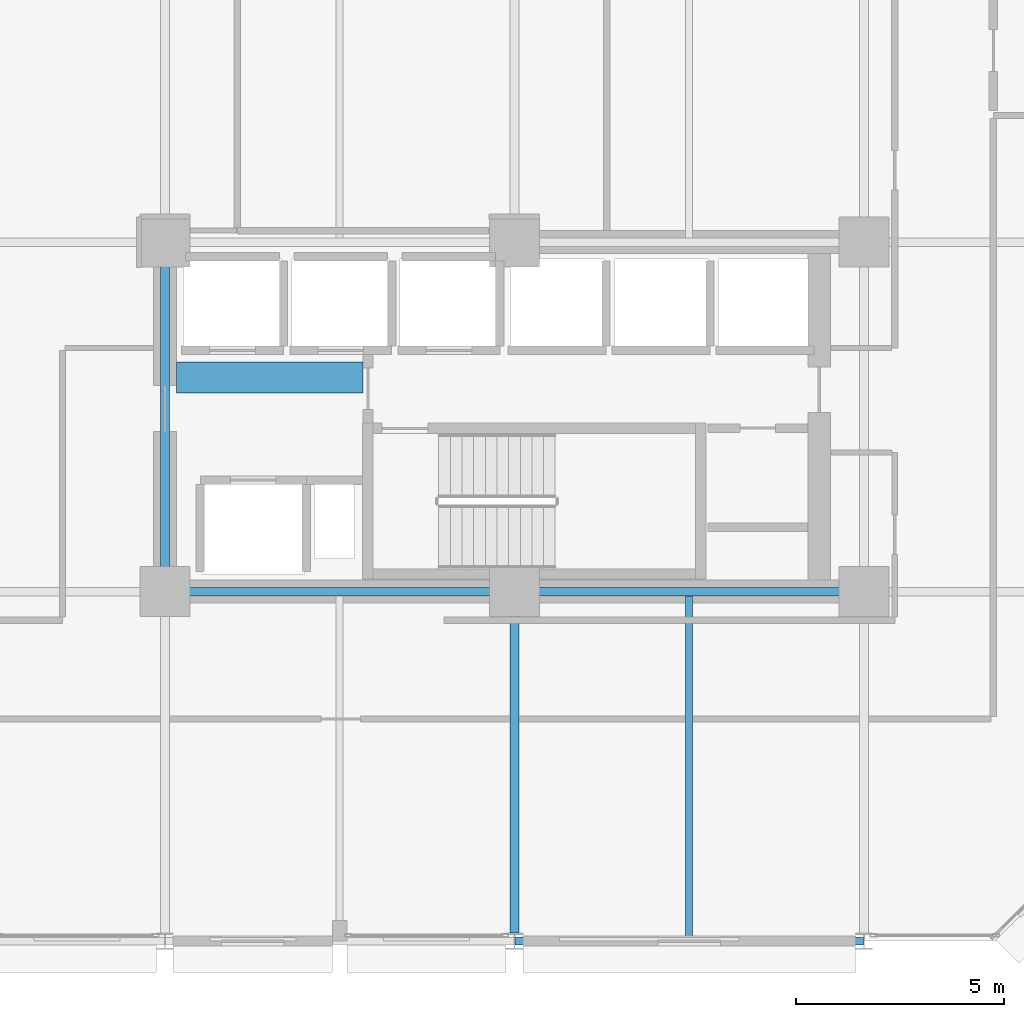
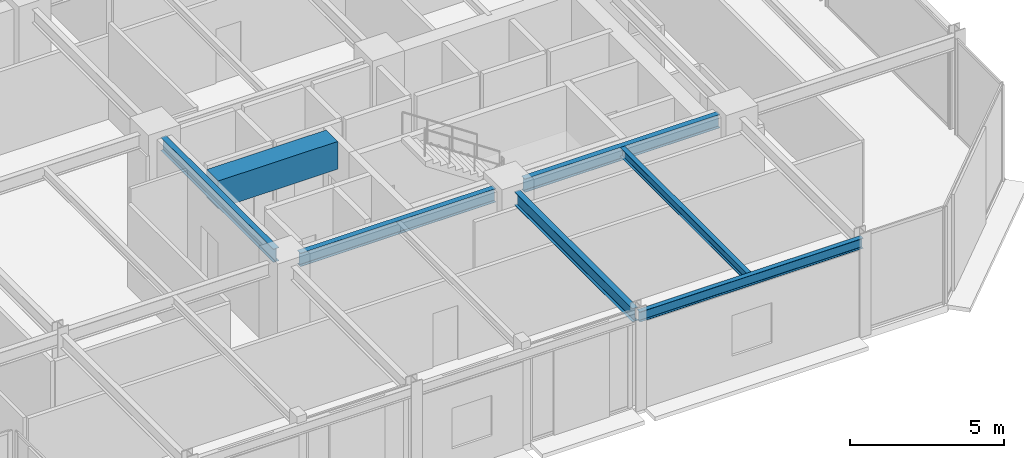
# One storey, part 7 of 30: 7 beams.
"""IFC4 building model written with IfcOpenShell, lengths in metres."""

from ifc_helpers import new_model, si_unit, direction, frame, origin, origin_2d, place, context, subcontext, project, spatial, rectangle, i_section, extrude, material, material_profile, profile_set, type_object, element, save


model = new_model("IFC4")

# Units and contexts
model_context = context("Model", 3, precision=1e-05, world=origin(), true_north=direction((0.0, 1.0)))
body_context = subcontext(model_context, "Body", "Model", "MODEL_VIEW")
ifc_project = project(units=[si_unit("LENGTHUNIT", "METRE"), si_unit("AREAUNIT", "SQUARE_METRE"), si_unit("VOLUMEUNIT", "CUBIC_METRE"), si_unit("PLANEANGLEUNIT", "RADIAN"), si_unit("MASSUNIT", "GRAM", prefix="KILO")], contexts=[model_context])

# Site, building, storey
site_placement = place(None, origin())
site = spatial("IfcSite", under=ifc_project, at=site_placement, CompositionType="ELEMENT")
building_placement = place(site_placement, origin())
building = spatial("IfcBuilding", under=site, at=building_placement, Name="Nerrivon Quay Data Exchange", CompositionType="ELEMENT")
storey_placement = place(building_placement, frame((0.0, 0.0, 141.800048828125)))
storey = spatial("IfcBuildingStorey", under=building, at=storey_placement, Name="L33", CompositionType="ELEMENT", Elevation=141.800048828125)

# Beams
ifc_material_1 = material(Name="Concrete S65 (65 MPa)", Category="concrete")
ifc_material_profile_1 = material_profile(ifc_material_1, rectangle(XDim=0.75, YDim=1.10009765625, at=origin_2d()), Name="RC-CB-750x1100")
ifc_profile_set_1 = profile_set([ifc_material_profile_1], Name="Concrete S65 (65 MPa)")
beam_type_1 = type_object("IfcBeamType", Name="BM-CB1-750x1100", PredefinedType="LINTEL", material=ifc_profile_set_1)
beam_1_placement = place(storey_placement, frame((17.074951171875, 13.550048828125, 3.27490234375), z_axis=(1.0, 0.0, 0.0), x_axis=(0.0, 1.0, 0.0)))
element("IfcBeam", 1, at=beam_1_placement, inside=storey, type_object=beam_type_1, Name="L33 East Core Coupling Beam", PredefinedType="LINTEL", context=body_context, shape_type="SweptSolid", body=[
    extrude(rectangle(XDim=0.75, YDim=1.10009765625, at=origin_2d()), origin(), (0.0, 0.0, 1.0), 4.47998046875),
])
ifc_material_2 = material(Name="Steel Grade 350", Category="steel")
ifc_material_profile_2 = material_profile(ifc_material_2, i_section(OverallWidth=0.208984375, OverallDepth=0.532958984375, WebThickness=0.01025390625, FlangeThickness=0.015625, FilletRadius=0.013916015625, at=origin_2d()), Name="530UB92.4")
ifc_profile_set_2 = profile_set([ifc_material_profile_2], Name="Steel Grade 350")
beam_type_2 = type_object("IfcBeamType", Name="BM-G3-530UB92", PredefinedType="BEAM", material=ifc_profile_set_2)
beam_2_placement = place(storey_placement, frame((17.340087890625, 8.39990234375, 3.558349609375), z_axis=(1.0, 0.0, 0.0), x_axis=(0.0, 1.0, 0.0)))
element("IfcBeam", 2, at=beam_2_placement, inside=storey, type_object=beam_type_2, Name="L33 EW Girder Y=8.4 (16.8..25.2)", PredefinedType="BEAM", context=body_context, shape_type="SweptSolid", body=[
    extrude(i_section(OverallWidth=0.208984375, OverallDepth=0.532958984375, WebThickness=0.01025390625, FlangeThickness=0.015625, FilletRadius=0.013916015625, at=origin_2d()), origin(), (0.0, 0.0, 1.0), 7.31982421875),
])
beam_3_placement = place(storey_placement, frame((25.739990234375, 8.39990234375, 3.558349609375), z_axis=(1.0, 0.0, 0.0), x_axis=(0.0, 1.0, 0.0)))
element("IfcBeam", 3, at=beam_3_placement, inside=storey, type_object=beam_type_2, Name="L33 EW Girder Y=8.4 (25.2..33.6)", PredefinedType="BEAM", context=body_context, shape_type="SweptSolid", body=[
    extrude(i_section(OverallWidth=0.208984375, OverallDepth=0.532958984375, WebThickness=0.01025390625, FlangeThickness=0.015625, FilletRadius=0.013916015625, at=origin_2d()), origin(), (0.0, 0.0, 1.0), 7.320068359375),
])
ifc_material_profile_3 = material_profile(ifc_material_2, i_section(OverallWidth=0.208984375, OverallDepth=0.528076171875, WebThickness=0.009521484375, FlangeThickness=0.01318359375, FilletRadius=0.013916015625, at=origin_2d()), Name="530UB82.0")
ifc_profile_set_3 = profile_set([ifc_material_profile_3], Name="Steel Grade 350")
beam_type_3 = type_object("IfcBeamType", Name="BM-G4-530UB82", PredefinedType="BEAM", material=ifc_profile_set_3)
beam_4_placement = place(storey_placement, frame((16.800048828125, 8.93994140625, 3.56103515625), z_axis=(0.0, 1.0, 0.0), x_axis=(-1.0, 0.0, 0.0)))
element("IfcBeam", 4, at=beam_4_placement, inside=storey, type_object=beam_type_3, Name="L33 NS Girder X=16.8 (8.4..16.8)", PredefinedType="BEAM", context=body_context, shape_type="SweptSolid", body=[
    extrude(i_section(OverallWidth=0.208984375, OverallDepth=0.528076171875, WebThickness=0.009521484375, FlangeThickness=0.01318359375, FilletRadius=0.013916015625, at=origin_2d()), origin(), (0.0, 0.0, 1.0), 7.320068359375),
])
beam_5_placement = place(storey_placement, frame((25.199951171875, 0.199951171875, 3.56103515625), z_axis=(0.0, 1.0, 0.0), x_axis=(-1.0, 0.0, 0.0)))
element("IfcBeam", 5, at=beam_5_placement, inside=storey, type_object=beam_type_3, Name="L33 NS Girder X=25.2 (0.0..8.4)", PredefinedType="BEAM", context=body_context, shape_type="SweptSolid", body=[
    extrude(i_section(OverallWidth=0.208984375, OverallDepth=0.528076171875, WebThickness=0.009521484375, FlangeThickness=0.01318359375, FilletRadius=0.013916015625, at=origin_2d()), origin(), (0.0, 0.0, 1.0), 7.66015625),
])
ifc_material_profile_4 = material_profile(ifc_material_2, i_section(OverallWidth=0.1708984375, OverallDepth=0.35595703125, WebThickness=0.00732421875, FlangeThickness=0.011474609375, FilletRadius=0.011474609375, at=origin_2d()), Name="360UB50.7")
ifc_profile_set_4 = profile_set([ifc_material_profile_4], Name="Steel Grade 350")
beam_type_4 = type_object("IfcBeamType", Name="BM-J4-360UB51", PredefinedType="JOIST", material=ifc_profile_set_4)
beam_6_placement = place(storey_placement, frame((29.39990234375, 0.089111328125, 3.64697265625), z_axis=(0.0, 1.0, 0.0), x_axis=(-1.0, 0.0, 0.0)))
element("IfcBeam", 6, at=beam_6_placement, inside=storey, type_object=beam_type_4, Name="L33 Secondary Joist X=29.4 (0.0..8.4)", PredefinedType="JOIST", context=body_context, shape_type="SweptSolid", body=[
    extrude(i_section(OverallWidth=0.1708984375, OverallDepth=0.35595703125, WebThickness=0.00732421875, FlangeThickness=0.011474609375, FilletRadius=0.011474609375, at=origin_2d()), origin(), (0.0, 0.0, 1.0), 8.206298828125),
])
ifc_material_profile_5 = material_profile(ifc_material_2, i_section(OverallWidth=0.177978515625, OverallDepth=0.403076171875, WebThickness=0.007568359375, FlangeThickness=0.010986328125, FilletRadius=0.011474609375, at=origin_2d()), Name="410UB53.7")
ifc_profile_set_5 = profile_set([ifc_material_profile_5], Name="Steel Grade 350")
beam_type_5 = type_object("IfcBeamType", Name="BM-SP2-410UB54", PredefinedType="SPANDREL", material=ifc_profile_set_5)
beam_7_placement = place(storey_placement, frame((25.21240234375, 0.0, 3.62353515625), z_axis=(1.0, 0.0, 0.0), x_axis=(0.0, 1.0, 0.0)))
element("IfcBeam", 7, at=beam_7_placement, inside=storey, type_object=beam_type_5, Name="L33 EW Girder Y=0.0 (25.2..33.6)", PredefinedType="SPANDREL", context=body_context, shape_type="SweptSolid", body=[
    extrude(i_section(OverallWidth=0.177978515625, OverallDepth=0.403076171875, WebThickness=0.007568359375, FlangeThickness=0.010986328125, FilletRadius=0.011474609375, at=origin_2d()), origin(), (0.0, 0.0, 1.0), 8.375),
])

save(model, "model.ifc")
